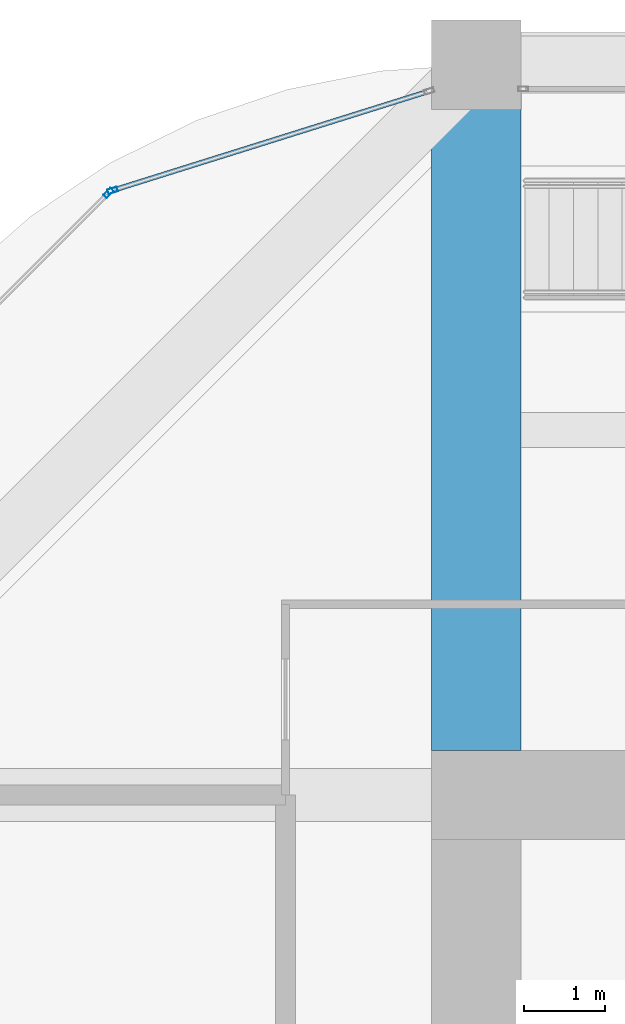
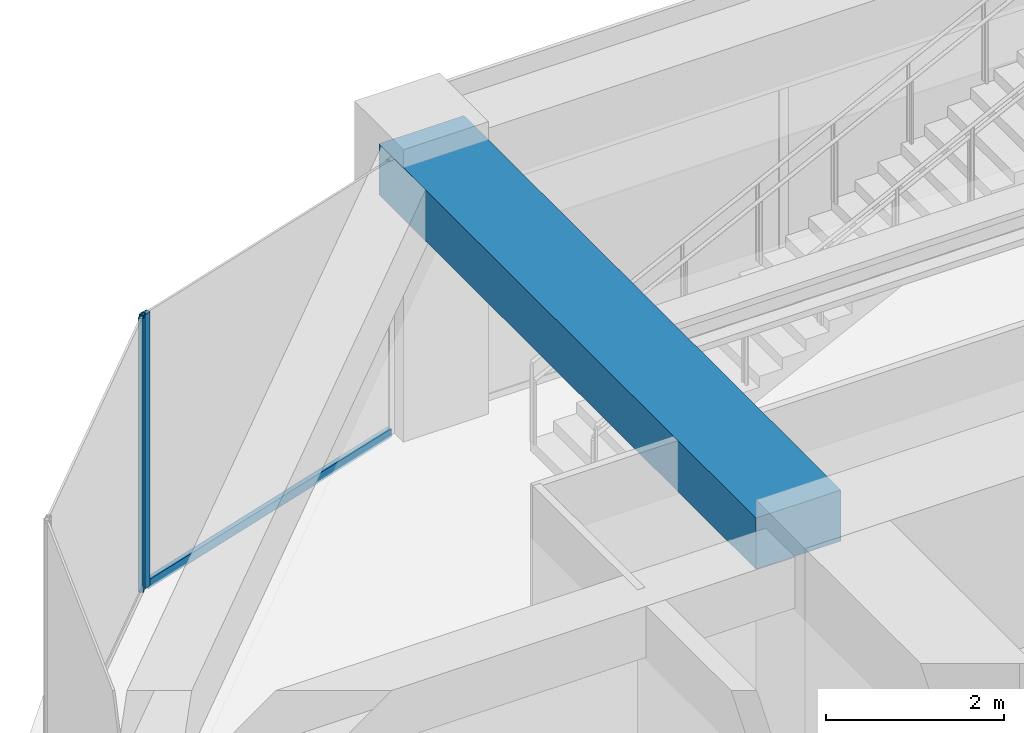
# One storey, part 30 of 44: 3 members, 1 beam, 2 elements without a shape of their own.
"""IFC4 building model written with IfcOpenShell, lengths in metres."""

from ifc_helpers import new_model, si_unit, direction, frame, origin, origin_2d, place, context, subcontext, project, spatial, rectangle, hollow_rectangle, extrude, material, material_profile, profile_set, type_object, element, aggregate, save


model = new_model("IFC4")

# Units and contexts
model_context = context("Model", 3, precision=1e-05, world=origin(), true_north=direction((0.0, 1.0)))
body_context = subcontext(model_context, "Body", "Model", "MODEL_VIEW")
ifc_project = project(units=[si_unit("LENGTHUNIT", "METRE"), si_unit("AREAUNIT", "SQUARE_METRE"), si_unit("VOLUMEUNIT", "CUBIC_METRE"), si_unit("PLANEANGLEUNIT", "RADIAN"), si_unit("MASSUNIT", "GRAM", prefix="KILO")], contexts=[model_context])

# Site, building, storey
site_placement = place(None, origin())
site = spatial("IfcSite", under=ifc_project, at=site_placement, CompositionType="ELEMENT")
building_placement = place(site_placement, origin())
building = spatial("IfcBuilding", under=site, at=building_placement, Name="Zorevar Civic Tower", CompositionType="ELEMENT")
storey_placement = place(building_placement, frame((0.0, 0.0, 271.39990234375)))
storey = spatial("IfcBuildingStorey", under=building, at=storey_placement, Name="L66", CompositionType="ELEMENT", Elevation=271.39990234375)

# Beam
ifc_material_1 = material(Name="Concrete C50/60", Category="concrete")
ifc_material_profile_1 = material_profile(ifc_material_1, rectangle(XDim=1.10009765625, YDim=0.699951171875, at=origin_2d()), Name="RC 1100x700")
ifc_profile_set_1 = profile_set([ifc_material_profile_1], Name="Concrete C50/60")
beam_type = type_object("IfcBeamType", Name="Beam RC 1100x700", PredefinedType="BEAM", material=ifc_profile_set_1)
beam_placement = place(storey_placement, frame((18.0, 36.550048828125, 3.400146484375), z_axis=(0.0, 1.0, 0.0), x_axis=(-1.0, 0.0, 0.0)))
element("IfcBeam", 1, at=beam_placement, inside=storey, type_object=beam_type, Name="Girder L67", PredefinedType="BEAM", context=body_context, shape_type="SweptSolid", body=[
    extrude(rectangle(XDim=1.10009765625, YDim=0.699951171875, at=origin_2d()), origin(), (0.0, 0.0, 1.0), 8.449951171875),
])

# Curtain wall, member
ifc_material_2 = material(Name="Dark grey solar-control glass in black aluminium frame", Category="aluminium")
curtain_wall_type = type_object("IfcCurtainWallType", Name="Curtain wall CW5 top zone", PredefinedType="NOTDEFINED", material=ifc_material_2)
curtain_wall_1_placement = place(storey_placement, origin())
curtain_wall_1 = element("IfcCurtainWall", 2, at=curtain_wall_1_placement, inside=storey, type_object=curtain_wall_type, Name="CW5 L66", PredefinedType="NOTDEFINED")
ifc_material_3 = material(Name="Aluminium, black anodised", Category="aluminium")
ifc_material_profile_2 = material_profile(ifc_material_3, hollow_rectangle(XDim=0.06005859375, YDim=0.1201171875, WallThickness=0.0029296875, at=origin_2d()), Name="AL 120x60x3")
ifc_profile_set_2 = profile_set([ifc_material_profile_2], Name="Aluminium, black anodised")
member_type_1 = type_object("IfcMemberType", Name="CW5 mullion AL 120x60x3", PredefinedType="MULLION", material=ifc_profile_set_2)
member_1_placement = place(storey_placement, frame((13.520751953125, 43.449951171875, 0.0), z_axis=(0.0, 0.0, 1.0), x_axis=(0.299317920238, -0.954153437674, 0.0)))
member_1 = element("IfcMember", 3, at=member_1_placement, type_object=member_type_1, Name="CW5 mullion 2", PredefinedType="MULLION", context=body_context, shape_type="SweptSolid", body=[
    extrude(hollow_rectangle(XDim=0.06005859375, YDim=0.1201171875, WallThickness=0.0029296875, at=origin_2d()), origin(), (0.0, 0.0, 1.0), 3.75),
])

curtain_wall_2_placement = place(storey_placement, origin())
curtain_wall_2 = element("IfcCurtainWall", 4, at=curtain_wall_2_placement, inside=storey, type_object=curtain_wall_type, Name="CW5 L66", PredefinedType="NOTDEFINED")
member_2_placement = place(storey_placement, frame((13.470947265625, 43.419677734375, 0.0), z_axis=(0.0, 0.0, 1.0), x_axis=(0.707106781187, -0.707106781187, 0.0)))
member_2 = element("IfcMember", 5, at=member_2_placement, type_object=member_type_1, Name="CW5 mullion 1", PredefinedType="MULLION", context=body_context, shape_type="SweptSolid", body=[
    extrude(hollow_rectangle(XDim=0.06005859375, YDim=0.1201171875, WallThickness=0.0029296875, at=origin_2d()), origin(), (0.0, 0.0, 1.0), 3.75),
])
aggregate(curtain_wall_2, [member_2])

# Member
ifc_material_4 = material(Name="Aluminium, black anodised", Category="aluminium")
ifc_material_profile_3 = material_profile(ifc_material_4, hollow_rectangle(XDim=0.06005859375, YDim=0.1201171875, WallThickness=0.0029296875, at=origin_2d()), Name="AL 120x60x3")
ifc_profile_set_3 = profile_set([ifc_material_profile_3], Name="Aluminium, black anodised")
member_type_2 = type_object("IfcMemberType", Name="CW5 transom AL 120x60x3", PredefinedType="USERDEFINED", material=ifc_profile_set_3)
member_3_placement = place(storey_placement, frame((17.392822265625, 44.66455078125, 0.030029296875), z_axis=(-0.954163457351, -0.299285978047, 0.0), x_axis=(0.299285978047, -0.954163457351, 0.0)))
member_3 = element("IfcMember", 6, at=member_3_placement, type_object=member_type_2, Name="CW5 sill transom", ObjectType="TRANSOM", PredefinedType="USERDEFINED", context=body_context, shape_type="SweptSolid", body=[
    extrude(hollow_rectangle(XDim=0.06005859375, YDim=0.1201171875, WallThickness=0.0029296875, at=origin_2d()), origin(), (0.0, 0.0, 1.0), 4.028076171875),
])

aggregate(curtain_wall_1, [member_1, member_3])

save(model, "model.ifc")
